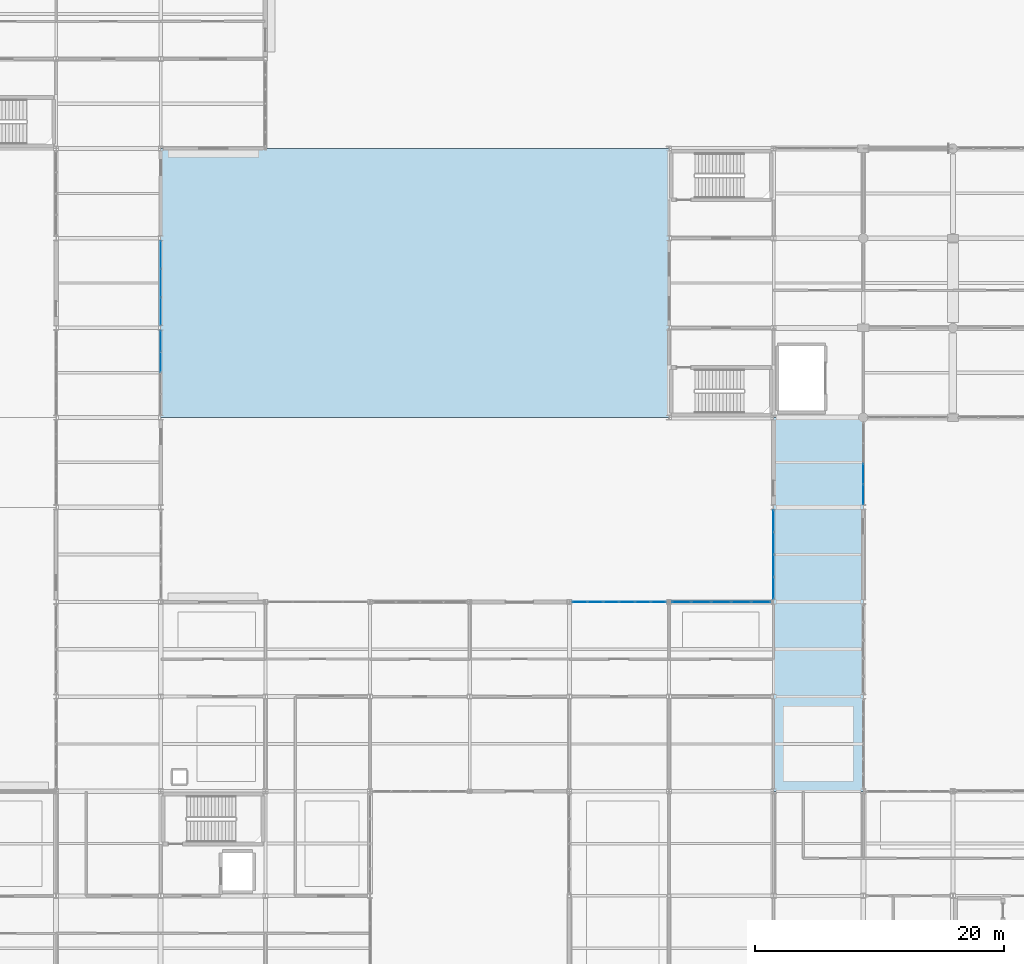
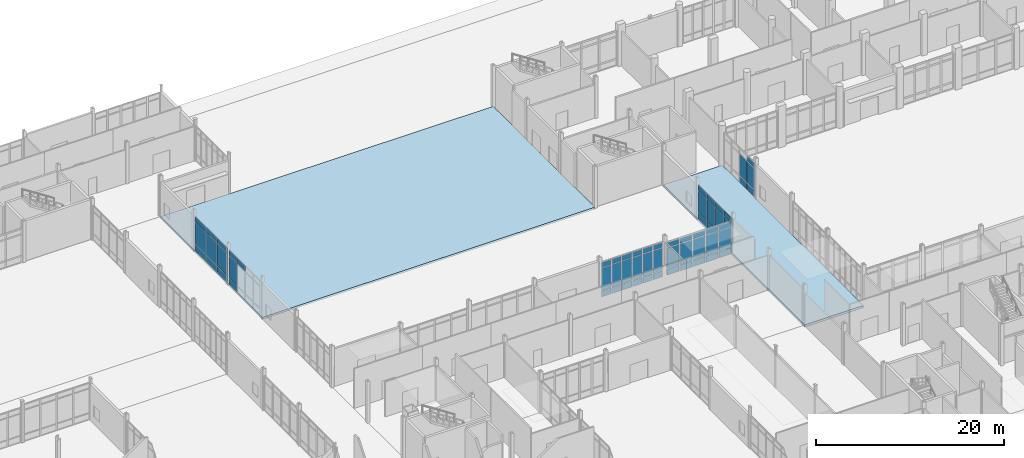
# One storey, part 151 of 229: 63 plates, 2 slabs, 6 elements without a shape of their own.
"""IFC4 building model written with IfcOpenShell, lengths in metres."""

from ifc_helpers import new_model, si_unit, direction, frame, origin, origin_2d, place, context, subcontext, project, spatial, polyline, rectangle, outline, extrude, material, layer, layer_set, type_object, element, aggregate, save


model = new_model("IFC4")

# Units and contexts
model_context = context("Model", 3, precision=1e-05, world=origin(), true_north=direction((0.0, 1.0)))
body_context = subcontext(model_context, "Body", "Model", "MODEL_VIEW")
ifc_project = project(units=[si_unit("LENGTHUNIT", "METRE"), si_unit("AREAUNIT", "SQUARE_METRE"), si_unit("VOLUMEUNIT", "CUBIC_METRE"), si_unit("PLANEANGLEUNIT", "RADIAN"), si_unit("MASSUNIT", "GRAM", prefix="KILO")], contexts=[model_context])

# Site, building, storey
site_placement = place(None, origin())
site = spatial("IfcSite", under=ifc_project, at=site_placement, CompositionType="ELEMENT")
building_placement = place(site_placement, origin())
building = spatial("IfcBuilding", under=site, at=building_placement, Name="Calvrana Isthmian Art Gallery", CompositionType="ELEMENT")
storey_placement = place(building_placement, origin())
storey = spatial("IfcBuildingStorey", under=building, at=storey_placement, Name="L00", CompositionType="ELEMENT", Elevation=0.0)

# Curtain wall, plates
ifc_material_1 = material(Name="Anodized bronze aluminium 6063-T6", Category="aluminium")
ifc_layer_1 = layer(ifc_material_1, 0.179931640625, Name="Anodized bronze aluminium 6063-T6")
ifc_layer_set_1 = layer_set([ifc_layer_1], Name="Anodized bronze aluminium 6063-T6")
curtain_wall_type_1 = type_object("IfcCurtainWallType", Name="CW-STICK-072X45", PredefinedType="NOTDEFINED", material=ifc_layer_set_1)
curtain_wall_1_placement = place(storey_placement, origin())
curtain_wall_1 = element("IfcCurtainWall", 1, at=curtain_wall_1_placement, inside=storey, type_object=curtain_wall_type_1, Name="Curtain wall CW-075", PredefinedType="NOTDEFINED")
ifc_material_2 = material(Name="Polychrome glazed terracotta", Category="masonry")
ifc_layer_2 = layer(ifc_material_2, 0.033935546875, Name="Polychrome glazed terracotta")
ifc_layer_set_2 = layer_set([ifc_layer_2], Name="Polychrome glazed terracotta")
plate_type_1 = type_object("IfcPlateType", Name="CWP-SPANDREL-34", PredefinedType="CURTAIN_PANEL", material=ifc_layer_set_2)
plate_1_placement = place(storey_placement, frame((112.800048828125, 63.113037109375, 0.06005859375), z_axis=(0.0, 0.0, 1.0), x_axis=(0.0, 1.0, 0.0)))
plate_1 = element("IfcPlate", 2, at=plate_1_placement, type_object=plate_type_1, Name="CW-075 panel 1.1", PredefinedType="CURTAIN_PANEL", context=body_context, shape_type="SweptSolid", body=[
    extrude(rectangle(XDim=1.7001953125, YDim=0.033935546875, at=origin_2d()), origin(), (0.0, 0.0, 1.0), 0.81005859375),
])
plate_2_placement = place(storey_placement, frame((112.800048828125, 63.113037109375, 0.93017578125), z_axis=(0.0, 0.0, 1.0), x_axis=(0.0, 1.0, 0.0)))
plate_2 = element("IfcPlate", 3, at=plate_2_placement, type_object=plate_type_1, Name="CW-075 panel 1.2", PredefinedType="CURTAIN_PANEL", context=body_context, shape_type="SweptSolid", body=[
    extrude(rectangle(XDim=1.7001953125, YDim=0.033935546875, at=origin_2d()), origin(), (0.0, 0.0, 1.0), 2.798095703125),
])
plate_3_placement = place(storey_placement, frame((112.800048828125, 63.113037109375, 3.7880859375), z_axis=(0.0, 0.0, 1.0), x_axis=(0.0, 1.0, 0.0)))
plate_3 = element("IfcPlate", 4, at=plate_3_placement, type_object=plate_type_1, Name="CW-075 panel 1.3", PredefinedType="CURTAIN_PANEL", context=body_context, shape_type="SweptSolid", body=[
    extrude(rectangle(XDim=1.7001953125, YDim=0.033935546875, at=origin_2d()), origin(), (0.0, 0.0, 1.0), 0.659912109375),
])
plate_4_placement = place(storey_placement, frame((112.800048828125, 64.900634765625, 0.06005859375), z_axis=(0.0, 0.0, 1.0), x_axis=(0.0, 1.0, 0.0)))
plate_4 = element("IfcPlate", 5, at=plate_4_placement, type_object=plate_type_1, Name="CW-075 panel 2.1", PredefinedType="CURTAIN_PANEL", context=body_context, shape_type="SweptSolid", body=[
    extrude(rectangle(XDim=1.735107421875, YDim=0.033935546875, at=origin_2d()), origin(), (0.0, 0.0, 1.0), 0.81005859375),
])
plate_5_placement = place(storey_placement, frame((112.800048828125, 64.900634765625, 0.93017578125), z_axis=(0.0, 0.0, 1.0), x_axis=(0.0, 1.0, 0.0)))
plate_5 = element("IfcPlate", 6, at=plate_5_placement, type_object=plate_type_1, Name="CW-075 panel 2.2", PredefinedType="CURTAIN_PANEL", context=body_context, shape_type="SweptSolid", body=[
    extrude(rectangle(XDim=1.735107421875, YDim=0.033935546875, at=origin_2d()), origin(), (0.0, 0.0, 1.0), 2.798095703125),
])
plate_6_placement = place(storey_placement, frame((112.800048828125, 64.900634765625, 3.7880859375), z_axis=(0.0, 0.0, 1.0), x_axis=(0.0, 1.0, 0.0)))
plate_6 = element("IfcPlate", 7, at=plate_6_placement, type_object=plate_type_1, Name="CW-075 panel 2.3", PredefinedType="CURTAIN_PANEL", context=body_context, shape_type="SweptSolid", body=[
    extrude(rectangle(XDim=1.735107421875, YDim=0.033935546875, at=origin_2d()), origin(), (0.0, 0.0, 1.0), 0.659912109375),
])
plate_7_placement = place(storey_placement, frame((112.800048828125, 66.705810546875, 0.06005859375), z_axis=(0.0, 0.0, 1.0), x_axis=(0.0, 1.0, 0.0)))
plate_7 = element("IfcPlate", 8, at=plate_7_placement, type_object=plate_type_1, Name="CW-075 panel 3.1", PredefinedType="CURTAIN_PANEL", context=body_context, shape_type="SweptSolid", body=[
    extrude(rectangle(XDim=1.735107421875, YDim=0.033935546875, at=origin_2d()), origin(), (0.0, 0.0, 1.0), 0.81005859375),
])
plate_8_placement = place(storey_placement, frame((112.800048828125, 66.705810546875, 0.93017578125), z_axis=(0.0, 0.0, 1.0), x_axis=(0.0, 1.0, 0.0)))
plate_8 = element("IfcPlate", 9, at=plate_8_placement, type_object=plate_type_1, Name="CW-075 panel 3.2", PredefinedType="CURTAIN_PANEL", context=body_context, shape_type="SweptSolid", body=[
    extrude(rectangle(XDim=1.735107421875, YDim=0.033935546875, at=origin_2d()), origin(), (0.0, 0.0, 1.0), 2.798095703125),
])
plate_9_placement = place(storey_placement, frame((112.800048828125, 66.705810546875, 3.7880859375), z_axis=(0.0, 0.0, 1.0), x_axis=(0.0, 1.0, 0.0)))
plate_9 = element("IfcPlate", 10, at=plate_9_placement, type_object=plate_type_1, Name="CW-075 panel 3.3", PredefinedType="CURTAIN_PANEL", context=body_context, shape_type="SweptSolid", body=[
    extrude(rectangle(XDim=1.735107421875, YDim=0.033935546875, at=origin_2d()), origin(), (0.0, 0.0, 1.0), 0.659912109375),
])
plate_10_placement = place(storey_placement, frame((112.800048828125, 68.493408203125, 0.06005859375), z_axis=(0.0, 0.0, 1.0), x_axis=(0.0, 1.0, 0.0)))
plate_10 = element("IfcPlate", 11, at=plate_10_placement, type_object=plate_type_1, Name="CW-075 panel 4.1", PredefinedType="CURTAIN_PANEL", context=body_context, shape_type="SweptSolid", body=[
    extrude(rectangle(XDim=1.7001953125, YDim=0.033935546875, at=origin_2d()), origin(), (0.0, 0.0, 1.0), 0.81005859375),
])
plate_11_placement = place(storey_placement, frame((112.800048828125, 68.493408203125, 0.93017578125), z_axis=(0.0, 0.0, 1.0), x_axis=(0.0, 1.0, 0.0)))
plate_11 = element("IfcPlate", 12, at=plate_11_placement, type_object=plate_type_1, Name="CW-075 panel 4.2", PredefinedType="CURTAIN_PANEL", context=body_context, shape_type="SweptSolid", body=[
    extrude(rectangle(XDim=1.7001953125, YDim=0.033935546875, at=origin_2d()), origin(), (0.0, 0.0, 1.0), 2.798095703125),
])
plate_12_placement = place(storey_placement, frame((112.800048828125, 68.493408203125, 3.7880859375), z_axis=(0.0, 0.0, 1.0), x_axis=(0.0, 1.0, 0.0)))
plate_12 = element("IfcPlate", 13, at=plate_12_placement, type_object=plate_type_1, Name="CW-075 panel 4.3", PredefinedType="CURTAIN_PANEL", context=body_context, shape_type="SweptSolid", body=[
    extrude(rectangle(XDim=1.7001953125, YDim=0.033935546875, at=origin_2d()), origin(), (0.0, 0.0, 1.0), 0.659912109375),
])
aggregate(curtain_wall_1, [plate_1, plate_2, plate_3, plate_4, plate_5, plate_6, plate_7, plate_8, plate_9, plate_10, plate_11, plate_12])

ifc_layer_3 = layer(ifc_material_1, 0.179931640625, Name="Anodized bronze aluminium 6063-T6")
ifc_layer_set_3 = layer_set([ifc_layer_3], Name="Anodized bronze aluminium 6063-T6")
curtain_wall_type_2 = type_object("IfcCurtainWallType", Name="CW-UNIT-076X46", PredefinedType="USERDEFINED", material=ifc_layer_set_3)
curtain_wall_2_placement = place(storey_placement, origin())
curtain_wall_2 = element("IfcCurtainWall", 14, at=curtain_wall_2_placement, inside=storey, type_object=curtain_wall_type_2, Name="Curtain wall CW-028", ObjectType="UNITISED CURTAIN WALL", PredefinedType="USERDEFINED")
ifc_material_3 = material(Name="Low-E laminated solar glass", Category="glass")
ifc_layer_4 = layer(ifc_material_3, 0.028076171875, Name="Low-E laminated solar glass")
ifc_layer_set_4 = layer_set([ifc_layer_4], Name="Low-E laminated solar glass")
plate_type_2 = type_object("IfcPlateType", Name="CWP-VISION-28", PredefinedType="CURTAIN_PANEL", material=ifc_layer_set_4)
plate_13_placement = place(storey_placement, frame((97.240234375, 62.0, 0.070068359375), z_axis=(0.0, 0.0, 1.0), x_axis=(1.0, 0.0, 0.0)))
plate_13 = element("IfcPlate", 15, at=plate_13_placement, type_object=plate_type_2, Name="CW-028 panel 1.1", PredefinedType="CURTAIN_PANEL", context=body_context, shape_type="SweptSolid", body=[
    extrude(rectangle(XDim=1.1591796875, YDim=0.028076171875, at=origin_2d()), origin(), (0.0, 0.0, 1.0), 0.794921875),
])
plate_14_placement = place(storey_placement, frame((97.240234375, 62.0, 0.93505859375), z_axis=(0.0, 0.0, 1.0), x_axis=(1.0, 0.0, 0.0)))
plate_14 = element("IfcPlate", 16, at=plate_14_placement, type_object=plate_type_2, Name="CW-028 panel 1.2", PredefinedType="CURTAIN_PANEL", context=body_context, shape_type="SweptSolid", body=[
    extrude(rectangle(XDim=1.1591796875, YDim=0.028076171875, at=origin_2d()), origin(), (0.0, 0.0, 1.0), 2.886962890625),
])
plate_15_placement = place(storey_placement, frame((97.240234375, 62.0, 3.89208984375), z_axis=(0.0, 0.0, 1.0), x_axis=(1.0, 0.0, 0.0)))
plate_15 = element("IfcPlate", 17, at=plate_15_placement, type_object=plate_type_2, Name="CW-028 panel 1.3", PredefinedType="CURTAIN_PANEL", context=body_context, shape_type="SweptSolid", body=[
    extrude(rectangle(XDim=1.1591796875, YDim=0.028076171875, at=origin_2d()), origin(), (0.0, 0.0, 1.0), 0.64501953125),
])
plate_16_placement = place(storey_placement, frame((98.4931640625, 62.0, 0.070068359375), z_axis=(0.0, 0.0, 1.0), x_axis=(1.0, 0.0, 0.0)))
plate_16 = element("IfcPlate", 18, at=plate_16_placement, type_object=plate_type_2, Name="CW-028 panel 2.1", PredefinedType="CURTAIN_PANEL", context=body_context, shape_type="SweptSolid", body=[
    extrude(rectangle(XDim=1.19677734375, YDim=0.028076171875, at=origin_2d()), origin(), (0.0, 0.0, 1.0), 0.794921875),
])
plate_17_placement = place(storey_placement, frame((98.4931640625, 62.0, 0.93505859375), z_axis=(0.0, 0.0, 1.0), x_axis=(1.0, 0.0, 0.0)))
plate_17 = element("IfcPlate", 19, at=plate_17_placement, type_object=plate_type_2, Name="CW-028 panel 2.2", PredefinedType="CURTAIN_PANEL", context=body_context, shape_type="SweptSolid", body=[
    extrude(rectangle(XDim=1.19677734375, YDim=0.028076171875, at=origin_2d()), origin(), (0.0, 0.0, 1.0), 2.886962890625),
])
plate_18_placement = place(storey_placement, frame((98.4931640625, 62.0, 3.89208984375), z_axis=(0.0, 0.0, 1.0), x_axis=(1.0, 0.0, 0.0)))
plate_18 = element("IfcPlate", 20, at=plate_18_placement, type_object=plate_type_2, Name="CW-028 panel 2.3", PredefinedType="CURTAIN_PANEL", context=body_context, shape_type="SweptSolid", body=[
    extrude(rectangle(XDim=1.19677734375, YDim=0.028076171875, at=origin_2d()), origin(), (0.0, 0.0, 1.0), 0.64501953125),
])
plate_19_placement = place(storey_placement, frame((99.764892578125, 62.0, 0.070068359375), z_axis=(0.0, 0.0, 1.0), x_axis=(1.0, 0.0, 0.0)))
plate_19 = element("IfcPlate", 21, at=plate_19_placement, type_object=plate_type_2, Name="CW-028 panel 3.1", PredefinedType="CURTAIN_PANEL", context=body_context, shape_type="SweptSolid", body=[
    extrude(rectangle(XDim=1.19677734375, YDim=0.028076171875, at=origin_2d()), origin(), (0.0, 0.0, 1.0), 0.794921875),
])
plate_20_placement = place(storey_placement, frame((99.764892578125, 62.0, 0.93505859375), z_axis=(0.0, 0.0, 1.0), x_axis=(1.0, 0.0, 0.0)))
plate_20 = element("IfcPlate", 22, at=plate_20_placement, type_object=plate_type_2, Name="CW-028 panel 3.2", PredefinedType="CURTAIN_PANEL", context=body_context, shape_type="SweptSolid", body=[
    extrude(rectangle(XDim=1.19677734375, YDim=0.028076171875, at=origin_2d()), origin(), (0.0, 0.0, 1.0), 2.886962890625),
])
plate_21_placement = place(storey_placement, frame((99.764892578125, 62.0, 3.89208984375), z_axis=(0.0, 0.0, 1.0), x_axis=(1.0, 0.0, 0.0)))
plate_21 = element("IfcPlate", 23, at=plate_21_placement, type_object=plate_type_2, Name="CW-028 panel 3.3", PredefinedType="CURTAIN_PANEL", context=body_context, shape_type="SweptSolid", body=[
    extrude(rectangle(XDim=1.19677734375, YDim=0.028076171875, at=origin_2d()), origin(), (0.0, 0.0, 1.0), 0.64501953125),
])
plate_22_placement = place(storey_placement, frame((101.03662109375, 62.0, 0.070068359375), z_axis=(0.0, 0.0, 1.0), x_axis=(1.0, 0.0, 0.0)))
plate_22 = element("IfcPlate", 24, at=plate_22_placement, type_object=plate_type_2, Name="CW-028 panel 4.1", PredefinedType="CURTAIN_PANEL", context=body_context, shape_type="SweptSolid", body=[
    extrude(rectangle(XDim=1.19677734375, YDim=0.028076171875, at=origin_2d()), origin(), (0.0, 0.0, 1.0), 0.794921875),
])
plate_23_placement = place(storey_placement, frame((101.03662109375, 62.0, 0.93505859375), z_axis=(0.0, 0.0, 1.0), x_axis=(1.0, 0.0, 0.0)))
plate_23 = element("IfcPlate", 25, at=plate_23_placement, type_object=plate_type_2, Name="CW-028 panel 4.2", PredefinedType="CURTAIN_PANEL", context=body_context, shape_type="SweptSolid", body=[
    extrude(rectangle(XDim=1.19677734375, YDim=0.028076171875, at=origin_2d()), origin(), (0.0, 0.0, 1.0), 2.886962890625),
])
plate_24_placement = place(storey_placement, frame((101.03662109375, 62.0, 3.89208984375), z_axis=(0.0, 0.0, 1.0), x_axis=(1.0, 0.0, 0.0)))
plate_24 = element("IfcPlate", 26, at=plate_24_placement, type_object=plate_type_2, Name="CW-028 panel 4.3", PredefinedType="CURTAIN_PANEL", context=body_context, shape_type="SweptSolid", body=[
    extrude(rectangle(XDim=1.19677734375, YDim=0.028076171875, at=origin_2d()), origin(), (0.0, 0.0, 1.0), 0.64501953125),
])
plate_25_placement = place(storey_placement, frame((102.308349609375, 62.0, 0.070068359375), z_axis=(0.0, 0.0, 1.0), x_axis=(1.0, 0.0, 0.0)))
plate_25 = element("IfcPlate", 27, at=plate_25_placement, type_object=plate_type_2, Name="CW-028 panel 5.1", PredefinedType="CURTAIN_PANEL", context=body_context, shape_type="SweptSolid", body=[
    extrude(rectangle(XDim=1.19677734375, YDim=0.028076171875, at=origin_2d()), origin(), (0.0, 0.0, 1.0), 0.794921875),
])
plate_26_placement = place(storey_placement, frame((102.308349609375, 62.0, 0.93505859375), z_axis=(0.0, 0.0, 1.0), x_axis=(1.0, 0.0, 0.0)))
plate_26 = element("IfcPlate", 28, at=plate_26_placement, type_object=plate_type_2, Name="CW-028 panel 5.2", PredefinedType="CURTAIN_PANEL", context=body_context, shape_type="SweptSolid", body=[
    extrude(rectangle(XDim=1.19677734375, YDim=0.028076171875, at=origin_2d()), origin(), (0.0, 0.0, 1.0), 2.886962890625),
])
plate_27_placement = place(storey_placement, frame((102.308349609375, 62.0, 3.89208984375), z_axis=(0.0, 0.0, 1.0), x_axis=(1.0, 0.0, 0.0)))
plate_27 = element("IfcPlate", 29, at=plate_27_placement, type_object=plate_type_2, Name="CW-028 panel 5.3", PredefinedType="CURTAIN_PANEL", context=body_context, shape_type="SweptSolid", body=[
    extrude(rectangle(XDim=1.19677734375, YDim=0.028076171875, at=origin_2d()), origin(), (0.0, 0.0, 1.0), 0.64501953125),
])
plate_28_placement = place(storey_placement, frame((103.561279296875, 62.0, 0.070068359375), z_axis=(0.0, 0.0, 1.0), x_axis=(1.0, 0.0, 0.0)))
plate_28 = element("IfcPlate", 30, at=plate_28_placement, type_object=plate_type_2, Name="CW-028 panel 6.1", PredefinedType="CURTAIN_PANEL", context=body_context, shape_type="SweptSolid", body=[
    extrude(rectangle(XDim=1.1591796875, YDim=0.028076171875, at=origin_2d()), origin(), (0.0, 0.0, 1.0), 0.794921875),
])
plate_29_placement = place(storey_placement, frame((103.561279296875, 62.0, 0.93505859375), z_axis=(0.0, 0.0, 1.0), x_axis=(1.0, 0.0, 0.0)))
plate_29 = element("IfcPlate", 31, at=plate_29_placement, type_object=plate_type_2, Name="CW-028 panel 6.2", PredefinedType="CURTAIN_PANEL", context=body_context, shape_type="SweptSolid", body=[
    extrude(rectangle(XDim=1.1591796875, YDim=0.028076171875, at=origin_2d()), origin(), (0.0, 0.0, 1.0), 2.886962890625),
])
plate_30_placement = place(storey_placement, frame((103.561279296875, 62.0, 3.89208984375), z_axis=(0.0, 0.0, 1.0), x_axis=(1.0, 0.0, 0.0)))
plate_30 = element("IfcPlate", 32, at=plate_30_placement, type_object=plate_type_2, Name="CW-028 panel 6.3", PredefinedType="CURTAIN_PANEL", context=body_context, shape_type="SweptSolid", body=[
    extrude(rectangle(XDim=1.1591796875, YDim=0.028076171875, at=origin_2d()), origin(), (0.0, 0.0, 1.0), 0.64501953125),
])
aggregate(curtain_wall_2, [plate_13, plate_14, plate_15, plate_16, plate_17, plate_18, plate_19, plate_20, plate_21, plate_22, plate_23, plate_24, plate_25, plate_26, plate_27, plate_28, plate_29, plate_30])

ifc_layer_5 = layer(ifc_material_1, 0.179931640625, Name="Anodized bronze aluminium 6063-T6")
ifc_layer_set_5 = layer_set([ifc_layer_5], Name="Anodized bronze aluminium 6063-T6")
curtain_wall_type_3 = type_object("IfcCurtainWallType", Name="CW-UNIT-080X44", PredefinedType="USERDEFINED", material=ifc_layer_set_5)
curtain_wall_3_placement = place(storey_placement, origin())
curtain_wall_3 = element("IfcCurtainWall", 33, at=curtain_wall_3_placement, inside=storey, type_object=curtain_wall_type_3, Name="Curtain wall CW-029", ObjectType="UNITISED CURTAIN WALL", PredefinedType="USERDEFINED")
plate_31_placement = place(storey_placement, frame((105.40576171875, 62.0, 0.074951171875), z_axis=(0.0, 0.0, 1.0), x_axis=(1.0, 0.0, 0.0)))
plate_31 = element("IfcPlate", 34, at=plate_31_placement, type_object=plate_type_2, Name="CW-029 panel 1.1", PredefinedType="CURTAIN_PANEL", context=body_context, shape_type="SweptSolid", body=[
    extrude(rectangle(XDim=1.4833984375, YDim=0.028076171875, at=origin_2d()), origin(), (0.0, 0.0, 1.0), 0.78759765625),
])
plate_32_placement = place(storey_placement, frame((105.40576171875, 62.0, 0.9375), z_axis=(0.0, 0.0, 1.0), x_axis=(1.0, 0.0, 0.0)))
plate_32 = element("IfcPlate", 35, at=plate_32_placement, type_object=plate_type_2, Name="CW-029 panel 1.2", PredefinedType="CURTAIN_PANEL", context=body_context, shape_type="SweptSolid", body=[
    extrude(rectangle(XDim=1.4833984375, YDim=0.028076171875, at=origin_2d()), origin(), (0.0, 0.0, 1.0), 2.633056640625),
])
plate_33_placement = place(storey_placement, frame((105.40576171875, 62.0, 3.6455078125), z_axis=(0.0, 0.0, 1.0), x_axis=(1.0, 0.0, 0.0)))
plate_33 = element("IfcPlate", 36, at=plate_33_placement, type_object=plate_type_2, Name="CW-029 panel 1.3", PredefinedType="CURTAIN_PANEL", context=body_context, shape_type="SweptSolid", body=[
    extrude(rectangle(XDim=1.4833984375, YDim=0.028076171875, at=origin_2d()), origin(), (0.0, 0.0, 1.0), 0.637451171875),
])
plate_34_placement = place(storey_placement, frame((106.989013671875, 62.0, 0.074951171875), z_axis=(0.0, 0.0, 1.0), x_axis=(1.0, 0.0, 0.0)))
plate_34 = element("IfcPlate", 37, at=plate_34_placement, type_object=plate_type_2, Name="CW-029 panel 2.1", PredefinedType="CURTAIN_PANEL", context=body_context, shape_type="SweptSolid", body=[
    extrude(rectangle(XDim=1.523193359375, YDim=0.028076171875, at=origin_2d()), origin(), (0.0, 0.0, 1.0), 0.78759765625),
])
plate_35_placement = place(storey_placement, frame((106.989013671875, 62.0, 0.9375), z_axis=(0.0, 0.0, 1.0), x_axis=(1.0, 0.0, 0.0)))
plate_35 = element("IfcPlate", 38, at=plate_35_placement, type_object=plate_type_2, Name="CW-029 panel 2.2", PredefinedType="CURTAIN_PANEL", context=body_context, shape_type="SweptSolid", body=[
    extrude(rectangle(XDim=1.523193359375, YDim=0.028076171875, at=origin_2d()), origin(), (0.0, 0.0, 1.0), 2.633056640625),
])
plate_36_placement = place(storey_placement, frame((106.989013671875, 62.0, 3.6455078125), z_axis=(0.0, 0.0, 1.0), x_axis=(1.0, 0.0, 0.0)))
plate_36 = element("IfcPlate", 39, at=plate_36_placement, type_object=plate_type_2, Name="CW-029 panel 2.3", PredefinedType="CURTAIN_PANEL", context=body_context, shape_type="SweptSolid", body=[
    extrude(rectangle(XDim=1.523193359375, YDim=0.028076171875, at=origin_2d()), origin(), (0.0, 0.0, 1.0), 0.637451171875),
])
plate_37_placement = place(storey_placement, frame((108.59228515625, 62.0, 0.074951171875), z_axis=(0.0, 0.0, 1.0), x_axis=(1.0, 0.0, 0.0)))
plate_37 = element("IfcPlate", 40, at=plate_37_placement, type_object=plate_type_2, Name="CW-029 panel 3.1", PredefinedType="CURTAIN_PANEL", context=body_context, shape_type="SweptSolid", body=[
    extrude(rectangle(XDim=1.523193359375, YDim=0.028076171875, at=origin_2d()), origin(), (0.0, 0.0, 1.0), 0.78759765625),
])
plate_38_placement = place(storey_placement, frame((108.59228515625, 62.0, 0.9375), z_axis=(0.0, 0.0, 1.0), x_axis=(1.0, 0.0, 0.0)))
plate_38 = element("IfcPlate", 41, at=plate_38_placement, type_object=plate_type_2, Name="CW-029 panel 3.2", PredefinedType="CURTAIN_PANEL", context=body_context, shape_type="SweptSolid", body=[
    extrude(rectangle(XDim=1.523193359375, YDim=0.028076171875, at=origin_2d()), origin(), (0.0, 0.0, 1.0), 2.633056640625),
])
plate_39_placement = place(storey_placement, frame((108.59228515625, 62.0, 3.6455078125), z_axis=(0.0, 0.0, 1.0), x_axis=(1.0, 0.0, 0.0)))
plate_39 = element("IfcPlate", 42, at=plate_39_placement, type_object=plate_type_2, Name="CW-029 panel 3.3", PredefinedType="CURTAIN_PANEL", context=body_context, shape_type="SweptSolid", body=[
    extrude(rectangle(XDim=1.523193359375, YDim=0.028076171875, at=origin_2d()), origin(), (0.0, 0.0, 1.0), 0.637451171875),
])
plate_40_placement = place(storey_placement, frame((110.195556640625, 62.0, 0.074951171875), z_axis=(0.0, 0.0, 1.0), x_axis=(1.0, 0.0, 0.0)))
plate_40 = element("IfcPlate", 43, at=plate_40_placement, type_object=plate_type_2, Name="CW-029 panel 4.1", PredefinedType="CURTAIN_PANEL", context=body_context, shape_type="SweptSolid", body=[
    extrude(rectangle(XDim=1.523193359375, YDim=0.028076171875, at=origin_2d()), origin(), (0.0, 0.0, 1.0), 0.78759765625),
])
plate_41_placement = place(storey_placement, frame((110.195556640625, 62.0, 0.9375), z_axis=(0.0, 0.0, 1.0), x_axis=(1.0, 0.0, 0.0)))
plate_41 = element("IfcPlate", 44, at=plate_41_placement, type_object=plate_type_2, Name="CW-029 panel 4.2", PredefinedType="CURTAIN_PANEL", context=body_context, shape_type="SweptSolid", body=[
    extrude(rectangle(XDim=1.523193359375, YDim=0.028076171875, at=origin_2d()), origin(), (0.0, 0.0, 1.0), 2.633056640625),
])
plate_42_placement = place(storey_placement, frame((110.195556640625, 62.0, 3.6455078125), z_axis=(0.0, 0.0, 1.0), x_axis=(1.0, 0.0, 0.0)))
plate_42 = element("IfcPlate", 45, at=plate_42_placement, type_object=plate_type_2, Name="CW-029 panel 4.3", PredefinedType="CURTAIN_PANEL", context=body_context, shape_type="SweptSolid", body=[
    extrude(rectangle(XDim=1.523193359375, YDim=0.028076171875, at=origin_2d()), origin(), (0.0, 0.0, 1.0), 0.637451171875),
])
plate_43_placement = place(storey_placement, frame((111.77880859375, 62.0, 0.074951171875), z_axis=(0.0, 0.0, 1.0), x_axis=(1.0, 0.0, 0.0)))
plate_43 = element("IfcPlate", 46, at=plate_43_placement, type_object=plate_type_2, Name="CW-029 panel 5.1", PredefinedType="CURTAIN_PANEL", context=body_context, shape_type="SweptSolid", body=[
    extrude(rectangle(XDim=1.4833984375, YDim=0.028076171875, at=origin_2d()), origin(), (0.0, 0.0, 1.0), 0.78759765625),
])
plate_44_placement = place(storey_placement, frame((111.77880859375, 62.0, 0.9375), z_axis=(0.0, 0.0, 1.0), x_axis=(1.0, 0.0, 0.0)))
plate_44 = element("IfcPlate", 47, at=plate_44_placement, type_object=plate_type_2, Name="CW-029 panel 5.2", PredefinedType="CURTAIN_PANEL", context=body_context, shape_type="SweptSolid", body=[
    extrude(rectangle(XDim=1.4833984375, YDim=0.028076171875, at=origin_2d()), origin(), (0.0, 0.0, 1.0), 2.633056640625),
])
plate_45_placement = place(storey_placement, frame((111.77880859375, 62.0, 3.6455078125), z_axis=(0.0, 0.0, 1.0), x_axis=(1.0, 0.0, 0.0)))
plate_45 = element("IfcPlate", 48, at=plate_45_placement, type_object=plate_type_2, Name="CW-029 panel 5.3", PredefinedType="CURTAIN_PANEL", context=body_context, shape_type="SweptSolid", body=[
    extrude(rectangle(XDim=1.4833984375, YDim=0.028076171875, at=origin_2d()), origin(), (0.0, 0.0, 1.0), 0.637451171875),
])
aggregate(curtain_wall_3, [plate_31, plate_32, plate_33, plate_34, plate_35, plate_36, plate_37, plate_38, plate_39, plate_40, plate_41, plate_42, plate_43, plate_44, plate_45])

ifc_layer_6 = layer(ifc_material_1, 0.179931640625, Name="Anodized bronze aluminium 6063-T6")
ifc_layer_set_6 = layer_set([ifc_layer_6], Name="Anodized bronze aluminium 6063-T6")
curtain_wall_type_4 = type_object("IfcCurtainWallType", Name="CW-STICK-068X45", PredefinedType="NOTDEFINED", material=ifc_layer_set_6)
curtain_wall_4_placement = place(storey_placement, origin())
curtain_wall_4 = element("IfcCurtainWall", 49, at=curtain_wall_4_placement, inside=storey, type_object=curtain_wall_type_4, Name="Curtain wall CW-066", PredefinedType="NOTDEFINED")
plate_46_placement = place(storey_placement, frame((63.60009765625, 82.95263671875, 0.06005859375), z_axis=(0.0, 0.0, 1.0), x_axis=(0.0, -1.0, 0.0)))
plate_46 = element("IfcPlate", 50, at=plate_46_placement, type_object=plate_type_2, Name="CW-066 panel 1.1", PredefinedType="CURTAIN_PANEL", context=body_context, shape_type="SweptSolid", body=[
    extrude(rectangle(XDim=1.618896484375, YDim=0.028076171875, at=origin_2d()), origin(), (0.0, 0.0, 1.0), 0.81005859375),
])
plate_47_placement = place(storey_placement, frame((63.60009765625, 82.95263671875, 0.93017578125), z_axis=(0.0, 0.0, 1.0), x_axis=(0.0, -1.0, 0.0)))
plate_47 = element("IfcPlate", 51, at=plate_47_placement, type_object=plate_type_2, Name="CW-066 panel 1.2", PredefinedType="CURTAIN_PANEL", context=body_context, shape_type="SweptSolid", body=[
    extrude(rectangle(XDim=1.618896484375, YDim=0.028076171875, at=origin_2d()), origin(), (0.0, 0.0, 1.0), 2.818115234375),
])
plate_48_placement = place(storey_placement, frame((63.60009765625, 82.95263671875, 3.80810546875), z_axis=(0.0, 0.0, 1.0), x_axis=(0.0, -1.0, 0.0)))
plate_48 = element("IfcPlate", 52, at=plate_48_placement, type_object=plate_type_2, Name="CW-066 panel 1.3", PredefinedType="CURTAIN_PANEL", context=body_context, shape_type="SweptSolid", body=[
    extrude(rectangle(XDim=1.618896484375, YDim=0.028076171875, at=origin_2d()), origin(), (0.0, 0.0, 1.0), 0.659912109375),
])
plate_49_placement = place(storey_placement, frame((63.60009765625, 81.2587890625, 3.80810546875), z_axis=(0.0, 0.0, 1.0), x_axis=(0.0, -1.0, 0.0)))
plate_49 = element("IfcPlate", 53, at=plate_49_placement, type_object=plate_type_2, Name="CW-066 panel 2.3", PredefinedType="CURTAIN_PANEL", context=body_context, shape_type="SweptSolid", body=[
    extrude(rectangle(XDim=1.64892578125, YDim=0.028076171875, at=origin_2d()), origin(), (0.0, 0.0, 1.0), 0.659912109375),
])
aggregate(curtain_wall_4, [plate_46, plate_47, plate_48, plate_49])

curtain_wall_5_placement = place(storey_placement, origin())
curtain_wall_5 = element("IfcCurtainWall", 54, at=curtain_wall_5_placement, inside=storey, type_object=curtain_wall_type_4, Name="Curtain wall CW-067", PredefinedType="NOTDEFINED")
plate_50_placement = place(storey_placement, frame((63.60009765625, 89.863525390625, 0.06494140625), z_axis=(0.0, 0.0, 1.0), x_axis=(0.0, -1.0, 0.0)))
plate_50 = element("IfcPlate", 55, at=plate_50_placement, type_object=plate_type_2, Name="CW-067 panel 1.1", PredefinedType="CURTAIN_PANEL", context=body_context, shape_type="SweptSolid", body=[
    extrude(rectangle(XDim=2.190185546875, YDim=0.028076171875, at=origin_2d()), origin(), (0.0, 0.0, 1.0), 0.802490234375),
])
plate_51_placement = place(storey_placement, frame((63.60009765625, 89.863525390625, 0.9326171875), z_axis=(0.0, 0.0, 1.0), x_axis=(0.0, -1.0, 0.0)))
plate_51 = element("IfcPlate", 56, at=plate_51_placement, type_object=plate_type_2, Name="CW-067 panel 1.2", PredefinedType="CURTAIN_PANEL", context=body_context, shape_type="SweptSolid", body=[
    extrude(rectangle(XDim=2.190185546875, YDim=0.028076171875, at=origin_2d()), origin(), (0.0, 0.0, 1.0), 2.818115234375),
])
plate_52_placement = place(storey_placement, frame((63.60009765625, 89.863525390625, 3.8154296875), z_axis=(0.0, 0.0, 1.0), x_axis=(0.0, -1.0, 0.0)))
plate_52 = element("IfcPlate", 57, at=plate_52_placement, type_object=plate_type_2, Name="CW-067 panel 1.3", PredefinedType="CURTAIN_PANEL", context=body_context, shape_type="SweptSolid", body=[
    extrude(rectangle(XDim=2.190185546875, YDim=0.028076171875, at=origin_2d()), origin(), (0.0, 0.0, 1.0), 0.652587890625),
])
plate_53_placement = place(storey_placement, frame((63.60009765625, 87.59814453125, 0.06494140625), z_axis=(0.0, 0.0, 1.0), x_axis=(0.0, -1.0, 0.0)))
plate_53 = element("IfcPlate", 58, at=plate_53_placement, type_object=plate_type_2, Name="CW-067 panel 2.1", PredefinedType="CURTAIN_PANEL", context=body_context, shape_type="SweptSolid", body=[
    extrude(rectangle(XDim=2.22021484375, YDim=0.028076171875, at=origin_2d()), origin(), (0.0, 0.0, 1.0), 0.802490234375),
])
plate_54_placement = place(storey_placement, frame((63.60009765625, 87.59814453125, 0.9326171875), z_axis=(0.0, 0.0, 1.0), x_axis=(0.0, -1.0, 0.0)))
plate_54 = element("IfcPlate", 59, at=plate_54_placement, type_object=plate_type_2, Name="CW-067 panel 2.2", PredefinedType="CURTAIN_PANEL", context=body_context, shape_type="SweptSolid", body=[
    extrude(rectangle(XDim=2.22021484375, YDim=0.028076171875, at=origin_2d()), origin(), (0.0, 0.0, 1.0), 2.818115234375),
])
plate_55_placement = place(storey_placement, frame((63.60009765625, 87.59814453125, 3.8154296875), z_axis=(0.0, 0.0, 1.0), x_axis=(0.0, -1.0, 0.0)))
plate_55 = element("IfcPlate", 60, at=plate_55_placement, type_object=plate_type_2, Name="CW-067 panel 2.3", PredefinedType="CURTAIN_PANEL", context=body_context, shape_type="SweptSolid", body=[
    extrude(rectangle(XDim=2.22021484375, YDim=0.028076171875, at=origin_2d()), origin(), (0.0, 0.0, 1.0), 0.652587890625),
])
plate_56_placement = place(storey_placement, frame((63.60009765625, 85.3330078125, 0.06494140625), z_axis=(0.0, 0.0, 1.0), x_axis=(0.0, -1.0, 0.0)))
plate_56 = element("IfcPlate", 61, at=plate_56_placement, type_object=plate_type_2, Name="CW-067 panel 3.1", PredefinedType="CURTAIN_PANEL", context=body_context, shape_type="SweptSolid", body=[
    extrude(rectangle(XDim=2.190185546875, YDim=0.028076171875, at=origin_2d()), origin(), (0.0, 0.0, 1.0), 0.802490234375),
])
plate_57_placement = place(storey_placement, frame((63.60009765625, 85.3330078125, 0.9326171875), z_axis=(0.0, 0.0, 1.0), x_axis=(0.0, -1.0, 0.0)))
plate_57 = element("IfcPlate", 62, at=plate_57_placement, type_object=plate_type_2, Name="CW-067 panel 3.2", PredefinedType="CURTAIN_PANEL", context=body_context, shape_type="SweptSolid", body=[
    extrude(rectangle(XDim=2.190185546875, YDim=0.028076171875, at=origin_2d()), origin(), (0.0, 0.0, 1.0), 2.818115234375),
])
plate_58_placement = place(storey_placement, frame((63.60009765625, 85.3330078125, 3.8154296875), z_axis=(0.0, 0.0, 1.0), x_axis=(0.0, -1.0, 0.0)))
plate_58 = element("IfcPlate", 63, at=plate_58_placement, type_object=plate_type_2, Name="CW-067 panel 3.3", PredefinedType="CURTAIN_PANEL", context=body_context, shape_type="SweptSolid", body=[
    extrude(rectangle(XDim=2.190185546875, YDim=0.028076171875, at=origin_2d()), origin(), (0.0, 0.0, 1.0), 0.652587890625),
])
aggregate(curtain_wall_5, [plate_50, plate_51, plate_52, plate_53, plate_54, plate_55, plate_56, plate_57, plate_58])

ifc_layer_7 = layer(ifc_material_1, 0.179931640625, Name="Anodized bronze aluminium 6063-T6")
ifc_layer_set_7 = layer_set([ifc_layer_7], Name="Anodized bronze aluminium 6063-T6")
curtain_wall_type_5 = type_object("IfcCurtainWallType", Name="CW-STICK-066X45", PredefinedType="NOTDEFINED", material=ifc_layer_set_7)
curtain_wall_6_placement = place(storey_placement, origin())
curtain_wall_6 = element("IfcCurtainWall", 64, at=curtain_wall_6_placement, inside=storey, type_object=curtain_wall_type_5, Name="Curtain wall CW-078", PredefinedType="NOTDEFINED")
plate_59_placement = place(storey_placement, frame((120.0, 72.280029296875, 0.070068359375), z_axis=(0.0, 0.0, 1.0), x_axis=(0.0, -1.0, 0.0)))
plate_59 = element("IfcPlate", 65, at=plate_59_placement, type_object=plate_type_2, Name="CW-078 panel 3.1", PredefinedType="CURTAIN_PANEL", context=body_context, shape_type="SweptSolid", body=[
    extrude(rectangle(XDim=1.597900390625, YDim=0.028076171875, at=origin_2d()), origin(), (0.0, 0.0, 1.0), 0.794921875),
])
plate_60_placement = place(storey_placement, frame((120.0, 72.280029296875, 0.93505859375), z_axis=(0.0, 0.0, 1.0), x_axis=(0.0, -1.0, 0.0)))
plate_60 = element("IfcPlate", 66, at=plate_60_placement, type_object=plate_type_2, Name="CW-078 panel 3.2", PredefinedType="CURTAIN_PANEL", context=body_context, shape_type="SweptSolid", body=[
    extrude(rectangle(XDim=1.597900390625, YDim=0.028076171875, at=origin_2d()), origin(), (0.0, 0.0, 1.0), 2.826904296875),
])
plate_61_placement = place(storey_placement, frame((120.0, 70.636962890625, 0.070068359375), z_axis=(0.0, 0.0, 1.0), x_axis=(0.0, -1.0, 0.0)))
plate_61 = element("IfcPlate", 67, at=plate_61_placement, type_object=plate_type_2, Name="CW-078 panel 4.1", PredefinedType="CURTAIN_PANEL", context=body_context, shape_type="SweptSolid", body=[
    extrude(rectangle(XDim=1.568115234375, YDim=0.028076171875, at=origin_2d()), origin(), (0.0, 0.0, 1.0), 0.794921875),
])
plate_62_placement = place(storey_placement, frame((120.0, 70.636962890625, 0.93505859375), z_axis=(0.0, 0.0, 1.0), x_axis=(0.0, -1.0, 0.0)))
plate_62 = element("IfcPlate", 68, at=plate_62_placement, type_object=plate_type_2, Name="CW-078 panel 4.2", PredefinedType="CURTAIN_PANEL", context=body_context, shape_type="SweptSolid", body=[
    extrude(rectangle(XDim=1.568115234375, YDim=0.028076171875, at=origin_2d()), origin(), (0.0, 0.0, 1.0), 2.826904296875),
])
plate_63_placement = place(storey_placement, frame((120.0, 70.636962890625, 3.83203125), z_axis=(0.0, 0.0, 1.0), x_axis=(0.0, -1.0, 0.0)))
plate_63 = element("IfcPlate", 69, at=plate_63_placement, type_object=plate_type_2, Name="CW-078 panel 4.3", PredefinedType="CURTAIN_PANEL", context=body_context, shape_type="SweptSolid", body=[
    extrude(rectangle(XDim=1.568115234375, YDim=0.028076171875, at=origin_2d()), origin(), (0.0, 0.0, 1.0), 0.64501953125),
])
aggregate(curtain_wall_6, [plate_59, plate_60, plate_61, plate_62, plate_63])

# Slabs
ifc_material_4 = material(Name="Concrete C40/50", Category="concrete")
ifc_layer_8 = layer(ifc_material_4, 0.300048828125, Name="Concrete C40/50")
ifc_layer_set_8 = layer_set([ifc_layer_8], Name="Concrete C40/50")
slab_type_1 = type_object("IfcSlabType", Name="SLB-STORE-300", PredefinedType="FLOOR", material=ifc_layer_set_8)
slab_1_placement = place(storey_placement, frame((0.0, 0.0, -0.300048828125)))
element("IfcSlab", 70, at=slab_1_placement, inside=storey, type_object=slab_type_1, Name="Floor slab V5L_L00", PredefinedType="FLOOR", context=body_context, shape_type="SweptSolid", body=[
    extrude(outline(polyline([(112.800048828125, 46.800048828125), (120.0, 46.800048828125), (120.0, 76.800048828125), (112.800048828125, 76.800048828125), (112.800048828125, 46.800048828125)])), origin(), (0.0, 0.0, 1.0), 0.300048828125),
])
ifc_layer_9 = layer(ifc_material_4, 0.199951171875, Name="Concrete C40/50")
ifc_layer_set_9 = layer_set([ifc_layer_9], Name="Concrete C40/50")
slab_type_2 = type_object("IfcSlabType", Name="SLB-TER-200", PredefinedType="FLOOR", material=ifc_layer_set_9)
slab_2_placement = place(storey_placement, frame((0.0, 0.0, -0.25)))
element("IfcSlab", 71, at=slab_2_placement, inside=storey, type_object=slab_type_2, Name="Courtyard and entry plaza deck SLB_CYD_NE_M", PredefinedType="FLOOR", context=body_context, shape_type="SweptSolid", body=[
    extrude(outline(polyline([(104.39990234375, 76.800048828125), (104.39990234375, 98.39990234375), (63.60009765625, 98.39990234375), (63.60009765625, 76.800048828125), (104.39990234375, 76.800048828125)])), origin(), (0.0, 0.0, 1.0), 0.25),
])

save(model, "model.ifc")
